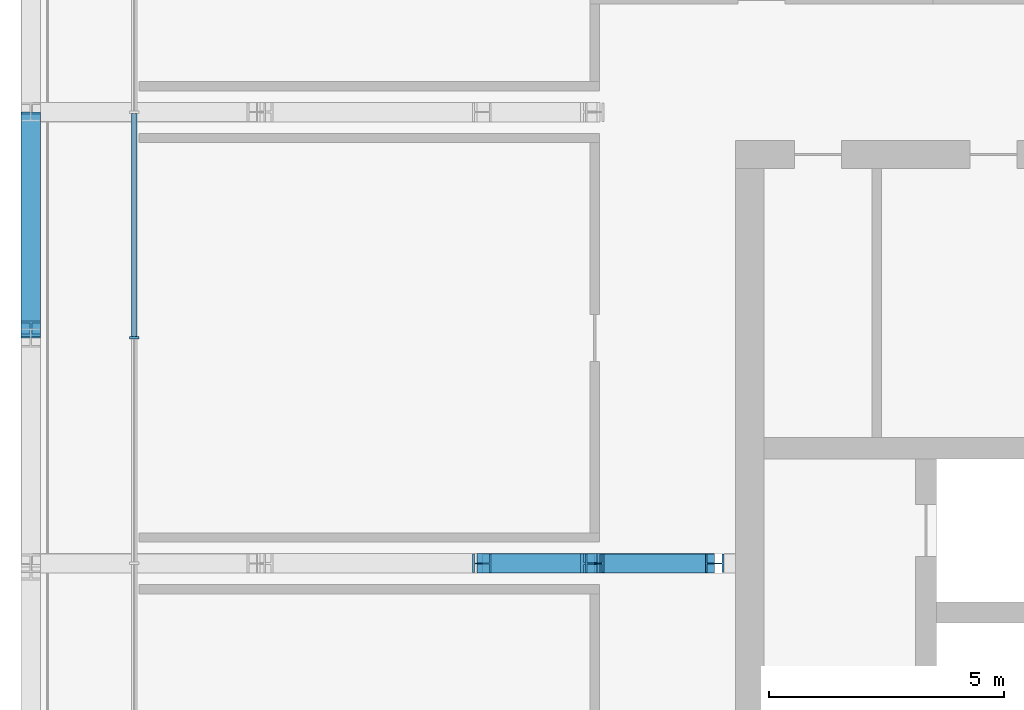
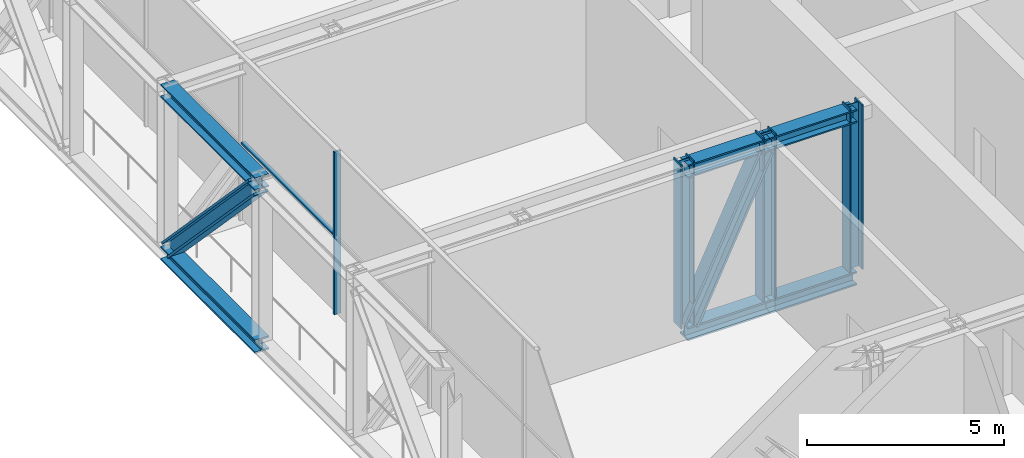
# One storey, part 6 of 26: 13 members, 1 element without a shape of its own.
"""IFC4 building model written with IfcOpenShell, lengths in metres."""

from ifc_helpers import new_model, si_unit, direction, frame, origin, origin_2d, place, context, subcontext, project, spatial, rectangle, i_section, extrude, material, layer, layer_set, material_profile, profile_set, type_object, element, aggregate, save


model = new_model("IFC4")

# Units and contexts
model_context = context("Model", 3, precision=1e-05, world=origin(), true_north=direction((0.0, 1.0)))
body_context = subcontext(model_context, "Body", "Model", "MODEL_VIEW")
ifc_project = project(units=[si_unit("LENGTHUNIT", "METRE"), si_unit("AREAUNIT", "SQUARE_METRE"), si_unit("VOLUMEUNIT", "CUBIC_METRE"), si_unit("PLANEANGLEUNIT", "RADIAN"), si_unit("MASSUNIT", "GRAM", prefix="KILO")], contexts=[model_context])

# Site, building, storey
site_placement = place(None, origin())
site = spatial("IfcSite", under=ifc_project, at=site_placement, CompositionType="ELEMENT")
building_placement = place(site_placement, origin())
building = spatial("IfcBuilding", under=site, at=building_placement, Name="Madar Terraces", CompositionType="ELEMENT")
storey_placement = place(building_placement, frame((0.0, 0.0, 233.300048828125)))
storey = spatial("IfcBuildingStorey", under=building, at=storey_placement, Name="L61", CompositionType="ELEMENT", Elevation=233.300048828125)

# Members
ifc_material_1 = material(Name="Steel ASTM A992 Grade 50", Category="steel")
ifc_material_profile_1 = material_profile(ifc_material_1, i_section(OverallWidth=0.408935546875, OverallDepth=0.424072265625, WebThickness=0.03271484375, FlangeThickness=0.052490234375, at=origin_2d()), Name="W14x283")
ifc_profile_set_1 = profile_set([ifc_material_profile_1], Name="Steel ASTM A992 Grade 50")
member_type_1 = type_object("IfcMemberType", Name="BC8 W14x283", PredefinedType="CHORD", material=ifc_profile_set_1)
member_1_placement = place(storey_placement, frame((0.0, 38.39990234375, -0.2080078125), z_axis=(0.0, -1.0, 0.0), x_axis=(1.0, 0.0, 0.0)))
element("IfcMember", 1, at=member_1_placement, inside=storey, type_object=member_type_1, Name="Exoskeleton truss ring bottom chord BC8", PredefinedType="CHORD", context=body_context, shape_type="SweptSolid", body=[
    extrude(i_section(OverallWidth=0.408935546875, OverallDepth=0.424072265625, WebThickness=0.03271484375, FlangeThickness=0.052490234375, at=origin_2d()), origin(), (0.0, 0.0, 1.0), 4.7998046875),
])
member_2_placement = place(storey_placement, frame((9.60009765625, 28.800048828125, -0.2080078125), z_axis=(1.0, 0.0, 0.0), x_axis=(0.0, 1.0, 0.0)))
element("IfcMember", 2, at=member_2_placement, inside=storey, type_object=member_type_1, Name="Exoskeleton truss cross W28.8 bottom chord BC8", PredefinedType="CHORD", context=body_context, shape_type="SweptSolid", body=[
    extrude(i_section(OverallWidth=0.408935546875, OverallDepth=0.424072265625, WebThickness=0.03271484375, FlangeThickness=0.052490234375, at=origin_2d()), origin(), (0.0, 0.0, 1.0), 2.39990234375),
])
member_3_placement = place(storey_placement, frame((12.0, 28.800048828125, -0.2080078125), z_axis=(1.0, 0.0, 0.0), x_axis=(0.0, 1.0, 0.0)))
element("IfcMember", 3, at=member_3_placement, inside=storey, type_object=member_type_1, Name="Exoskeleton truss cross W28.8 bottom chord BC8", PredefinedType="CHORD", context=body_context, shape_type="SweptSolid", body=[
    extrude(i_section(OverallWidth=0.408935546875, OverallDepth=0.424072265625, WebThickness=0.03271484375, FlangeThickness=0.052490234375, at=origin_2d()), origin(), (0.0, 0.0, 1.0), 2.550048828125),
])

# Curtain wall, members
ifc_material_2 = material(Name="Glass, ceramic frit dark grey, with black aluminium frame", Category="aluminium")
ifc_layer = layer(ifc_material_2, 0.199951171875)
ifc_layer_set = layer_set([ifc_layer], Name="Facade curtain wall, tall glazing")
curtain_wall_type = type_object("IfcCurtainWallType", Name="Facade curtain wall, tall glazing", PredefinedType="NOTDEFINED", material=ifc_layer_set)
curtain_wall_placement = place(storey_placement, origin())
curtain_wall = element("IfcCurtainWall", 4, at=curtain_wall_placement, inside=storey, type_object=curtain_wall_type, Name="Outer skin curtain wall west bay 1", PredefinedType="NOTDEFINED")
ifc_material_3 = material(Name="Aluminium, black anodised", Category="aluminium")
ifc_material_profile_2 = material_profile(ifc_material_3, rectangle(XDim=0.199951171875, YDim=0.06005859375, at=origin_2d()), Name="Facade mullion 60x200")
ifc_profile_set_2 = profile_set([ifc_material_profile_2], Name="Aluminium, black anodised")
member_type_2 = type_object("IfcMemberType", Name="Facade mullion 60x200", PredefinedType="MULLION", material=ifc_profile_set_2)
member_4_placement = place(storey_placement, frame((2.199951171875, 33.60009765625, 0.0), z_axis=(0.0, 0.0, 1.0), x_axis=(1.0, 0.0, 0.0)))
member_4 = element("IfcMember", 5, at=member_4_placement, type_object=member_type_2, Name="Mullion 3", PredefinedType="MULLION", context=body_context, shape_type="SweptSolid", body=[
    extrude(rectangle(XDim=0.199951171875, YDim=0.06005859375, at=origin_2d()), origin(), (0.0, 0.0, 1.0), 5.0400390625),
])
ifc_material_4 = material(Name="Aluminium, black anodised", Category="aluminium")
ifc_material_profile_3 = material_profile(ifc_material_4, rectangle(XDim=0.1201171875, YDim=0.06005859375, at=origin_2d()), Name="Facade transom 60x120")
ifc_profile_set_3 = profile_set([ifc_material_profile_3], Name="Aluminium, black anodised")
member_type_3 = type_object("IfcMemberType", Name="Facade transom 60x120", PredefinedType="USERDEFINED", material=ifc_profile_set_3)
member_5_placement = place(storey_placement, frame((2.199951171875, 38.3701171875, 2.39990234375), z_axis=(0.0, -1.0, 0.0), x_axis=(1.0, 0.0, 0.0)))
member_5 = element("IfcMember", 6, at=member_5_placement, type_object=member_type_3, Name="Transom 4", ObjectType="TRANSOM", PredefinedType="USERDEFINED", context=body_context, shape_type="SweptSolid", body=[
    extrude(rectangle(XDim=0.1201171875, YDim=0.06005859375, at=origin_2d()), origin(), (0.0, 0.0, 1.0), 4.740234375),
])
aggregate(curtain_wall, [member_4, member_5])

# Members
ifc_material_5 = material(Name="Steel ASTM A992 Grade 50", Category="steel")
ifc_material_profile_4 = material_profile(ifc_material_5, i_section(OverallWidth=0.40380859375, OverallDepth=0.406494140625, WebThickness=0.027099609375, FlangeThickness=0.043701171875, at=origin_2d()), Name="W14x233")
ifc_profile_set_4 = profile_set([ifc_material_profile_4], Name="Steel ASTM A992 Grade 50")
member_type_4 = type_object("IfcMemberType", Name="TC8 W14x233", PredefinedType="CHORD", material=ifc_profile_set_4)
member_6_placement = place(storey_placement, frame((0.0, 38.39990234375, 4.82666015625), z_axis=(0.0, -1.0, 0.0), x_axis=(1.0, 0.0, 0.0)))
element("IfcMember", 7, at=member_6_placement, inside=storey, type_object=member_type_4, Name="Exoskeleton truss ring top chord TC8", PredefinedType="CHORD", context=body_context, shape_type="SweptSolid", body=[
    extrude(i_section(OverallWidth=0.40380859375, OverallDepth=0.406494140625, WebThickness=0.027099609375, FlangeThickness=0.043701171875, at=origin_2d()), origin(), (0.0, 0.0, 1.0), 4.7998046875),
])
member_7_placement = place(storey_placement, frame((9.60009765625, 28.800048828125, 4.82666015625), z_axis=(1.0, 0.0, 0.0), x_axis=(0.0, 1.0, 0.0)))
element("IfcMember", 8, at=member_7_placement, inside=storey, type_object=member_type_4, Name="Exoskeleton truss cross W28.8 top chord TC8", PredefinedType="CHORD", context=body_context, shape_type="SweptSolid", body=[
    extrude(i_section(OverallWidth=0.40380859375, OverallDepth=0.406494140625, WebThickness=0.027099609375, FlangeThickness=0.043701171875, at=origin_2d()), origin(), (0.0, 0.0, 1.0), 2.39990234375),
])
member_8_placement = place(storey_placement, frame((12.0, 28.800048828125, 4.82666015625), z_axis=(1.0, 0.0, 0.0), x_axis=(0.0, 1.0, 0.0)))
element("IfcMember", 9, at=member_8_placement, inside=storey, type_object=member_type_4, Name="Exoskeleton truss cross W28.8 top chord TC8", PredefinedType="CHORD", context=body_context, shape_type="SweptSolid", body=[
    extrude(i_section(OverallWidth=0.40380859375, OverallDepth=0.406494140625, WebThickness=0.027099609375, FlangeThickness=0.043701171875, at=origin_2d()), origin(), (0.0, 0.0, 1.0), 2.550048828125),
])
ifc_material_6 = material(Name="Steel ASTM A992 Grade 50", Category="steel")
ifc_material_profile_5 = material_profile(ifc_material_6, i_section(OverallWidth=0.419189453125, OverallDepth=0.45458984375, WebThickness=0.042236328125, FlangeThickness=0.067626953125, at=origin_2d()), Name="W14x370")
ifc_profile_set_5 = profile_set([ifc_material_profile_5], Name="Steel ASTM A992 Grade 50")
member_type_5 = type_object("IfcMemberType", Name="TD8 W14x370", PredefinedType="BRACE", material=ifc_profile_set_5)
member_9_placement = place(storey_placement, frame((0.0, 38.19775390625, 0.004150390625), z_axis=(0.0, -0.690036191516, 0.723774864442), x_axis=(1.0, 0.0, 0.0)))
element("IfcMember", 10, at=member_9_placement, inside=storey, type_object=member_type_5, Name="Exoskeleton truss ring diagonal TD8", PredefinedType="BRACE", context=body_context, shape_type="SweptSolid", body=[
    extrude(i_section(OverallWidth=0.419189453125, OverallDepth=0.45458984375, WebThickness=0.042236328125, FlangeThickness=0.067626953125, at=origin_2d()), origin(), (0.0, 0.0, 1.0), 6.38232421875),
])
member_10_placement = place(storey_placement, frame((9.701171875, 28.800048828125, 0.004150390625), z_axis=(0.430283557881, 0.0, 0.902693779649), x_axis=(0.0, 1.0, 0.0)))
element("IfcMember", 11, at=member_10_placement, inside=storey, type_object=member_type_5, Name="Exoskeleton truss cross W28.8 diagonal TD8", PredefinedType="BRACE", context=body_context, shape_type="SweptSolid", body=[
    extrude(i_section(OverallWidth=0.419189453125, OverallDepth=0.45458984375, WebThickness=0.042236328125, FlangeThickness=0.067626953125, at=origin_2d()), origin(), (0.0, 0.0, 1.0), 5.117431640625),
])
ifc_material_7 = material(Name="Steel ASTM A992 Grade 50", Category="steel")
ifc_material_profile_6 = material_profile(ifc_material_7, i_section(OverallWidth=0.398681640625, OverallDepth=0.393798828125, WebThickness=0.022705078125, FlangeThickness=0.03662109375, at=origin_2d()), Name="W14x193")
ifc_profile_set_6 = profile_set([ifc_material_profile_6], Name="Steel ASTM A992 Grade 50")
member_type_6 = type_object("IfcMemberType", Name="TV8 W14x193", PredefinedType="POST", material=ifc_profile_set_6)
for number, where, z_axis, x_axis, name in (
    (12, (9.60009765625, 28.800048828125, 0.004150390625), (0.0, 0.0, 1.0), (0.0, 1.0, 0.0), "Exoskeleton truss cross W28.8 post TV8"),
    (13, (12.0, 28.800048828125, 0.004150390625), (0.0, 0.0, 1.0), (0.0, 1.0, 0.0), "Exoskeleton truss cross W28.8 post TV8"),
    (14, (14.550048828125, 28.800048828125, 0.004150390625), (0.0, 0.0, 1.0), (0.0, 1.0, 0.0), "Exoskeleton truss cross W28.8 post TV8"),
):
    element("IfcMember", number, at=place(storey_placement, frame(where, z_axis=z_axis, x_axis=x_axis)), inside=storey, type_object=member_type_6, Name=name, PredefinedType="POST", context=body_context, shape_type="SweptSolid", body=[
        extrude(i_section(OverallWidth=0.398681640625, OverallDepth=0.393798828125, WebThickness=0.022705078125, FlangeThickness=0.03662109375, at=origin_2d()), origin(), (0.0, 0.0, 1.0), 5.095703125),
    ])

save(model, "model.ifc")
